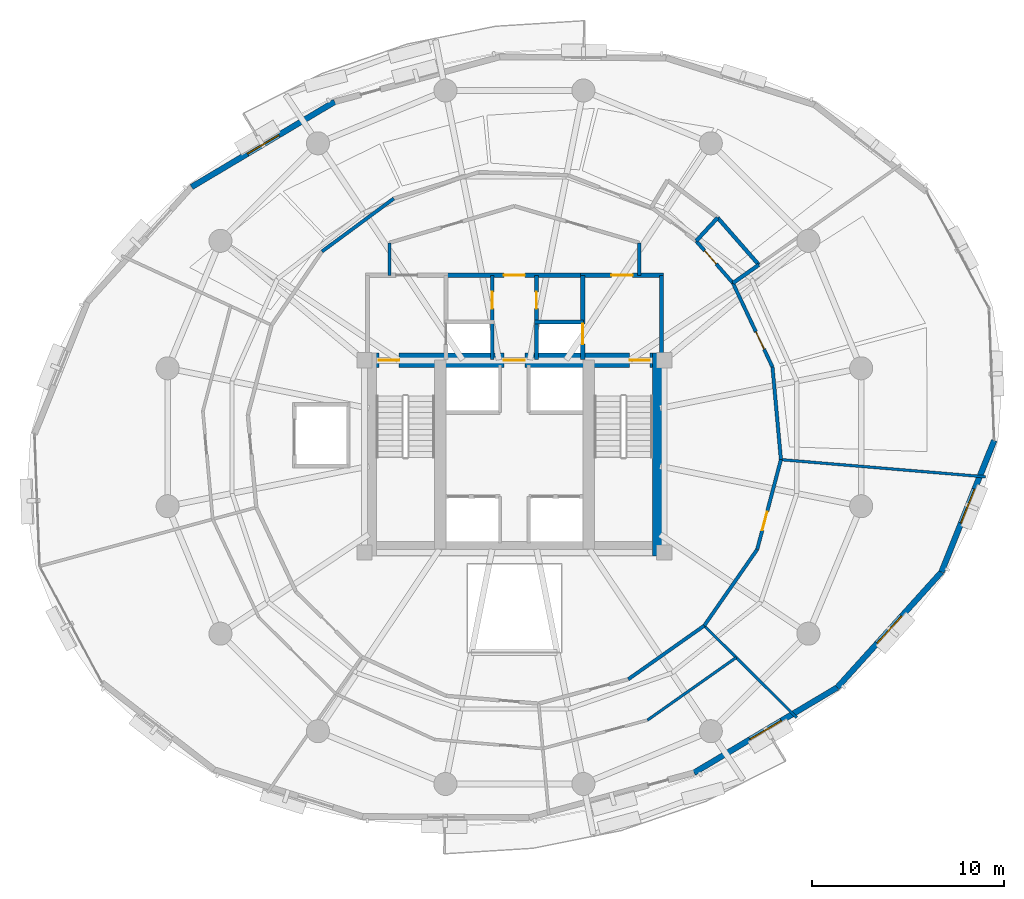
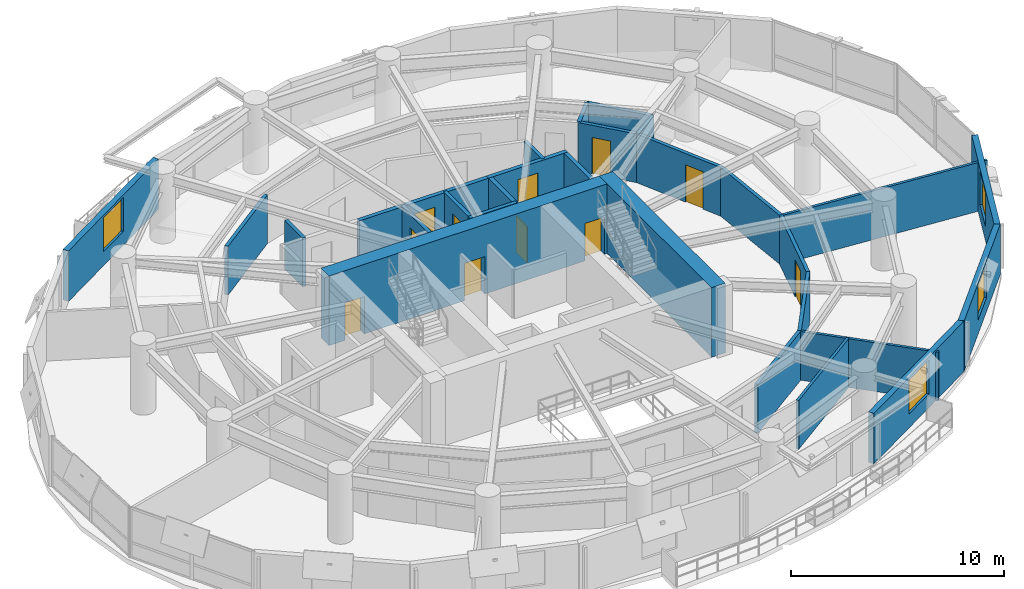
# One storey, part 11 of 15: 28 walls, 11 doors, 4 windows, 15 openings.
"""IFC4 building model written with IfcOpenShell, lengths in metres."""

from ifc_helpers import new_model, si_unit, direction, frame, frame_2d, origin, place, context, subcontext, project, spatial, rectangle, extrude, material, layer, layer_set, type_object, element, fill, save


model = new_model("IFC4")

# Units and contexts
model_context = context("Model", 3, precision=1e-05, world=origin(), true_north=direction((0.0, 1.0)))
body_context = subcontext(model_context, "Body", "Model", "MODEL_VIEW")
ifc_project = project(units=[si_unit("LENGTHUNIT", "METRE"), si_unit("AREAUNIT", "SQUARE_METRE"), si_unit("VOLUMEUNIT", "CUBIC_METRE"), si_unit("PLANEANGLEUNIT", "RADIAN"), si_unit("MASSUNIT", "GRAM", prefix="KILO"), si_unit("THERMODYNAMICTEMPERATUREUNIT", "KELVIN"), si_unit("POWERUNIT", "WATT")], contexts=[model_context])

# Site, building, storey
site_placement = place(None, origin())
site = spatial("IfcSite", under=ifc_project, at=site_placement, CompositionType="ELEMENT")
building_placement = place(site_placement, origin())
building = spatial("IfcBuilding", under=site, at=building_placement, Name="Ocrelia Relay Tower", CompositionType="ELEMENT")
storey_placement = place(building_placement, frame((0.0, 0.0, 97.800048828125)))
storey = spatial("IfcBuildingStorey", under=building, at=storey_placement, Name="L22", CompositionType="ELEMENT", Elevation=97.800048828125)

# Wall, openings, doors
ifc_material_1 = material(Name="Concrete C60/75", Category="concrete")
ifc_layer_1 = layer(ifc_material_1, 0.75, Name="Concrete C60/75")
ifc_layer_set_1 = layer_set([ifc_layer_1], Name="Concrete C60/75")
wall_type_1 = type_object("IfcWallType", Name="CW-CORE-750", PredefinedType="SHEAR", material=ifc_layer_set_1)
wall_1_placement = place(storey_placement, frame((26.072021484375, 30.012939453125, 0.0), z_axis=(0.0, 0.0, 1.0), x_axis=(1.0, 0.0, 0.0)))
wall_1 = element("IfcWall", 1, at=wall_1_placement, inside=storey, type_object=wall_type_1, Name="L22 Core Shear Wall N", PredefinedType="SHEAR", context=body_context, shape_type="SweptSolid", body=[
    extrude(rectangle(XDim=15.865966796875, YDim=0.75, at=frame_2d((7.93310546875, 0.0))), origin(), (0.0, 0.0, 1.0), 4.0),
])
opening_1_placement = place(wall_1_placement, frame((0.8779296875, 0.0, 0.0)))
opening_1 = element("IfcOpeningElement", 2, at=opening_1_placement, cuts=wall_1, Name="Opening D-FD90", PredefinedType="OPENING", context=body_context, shape_type="SweptSolid", body=[
    extrude(rectangle(XDim=1.050048828125, YDim=2.14990234375, at=frame_2d((0.52490234375, 1.074951171875))), frame((0.0, 0.385009765625, 0.0), z_axis=(0.0, -1.0, 0.0), x_axis=(1.0, 0.0, 0.0)), (0.0, 0.0, 1.0), 0.77001953125),
])
opening_2_placement = place(wall_1_placement, frame((13.927978515625, 0.0, 0.0)))
opening_2 = element("IfcOpeningElement", 3, at=opening_2_placement, cuts=wall_1, Name="Opening D-FD90", PredefinedType="OPENING", context=body_context, shape_type="SweptSolid", body=[
    extrude(rectangle(XDim=1.050048828125, YDim=2.14990234375, at=frame_2d((0.52490234375, 1.074951171875))), frame((0.0, 0.385009765625, 0.0), z_axis=(0.0, -1.0, 0.0), x_axis=(1.0, 0.0, 0.0)), (0.0, 0.0, 1.0), 0.77001953125),
])
opening_3_placement = place(wall_1_placement, frame((7.3779296875, 0.0, 0.0)))
opening_3 = element("IfcOpeningElement", 4, at=opening_3_placement, cuts=wall_1, Name="Opening D-FD60", PredefinedType="OPENING", context=body_context, shape_type="SweptSolid", body=[
    extrude(rectangle(XDim=1.10009765625, YDim=2.14990234375, at=frame_2d((0.550048828125, 1.074951171875))), frame((0.0, 0.385009765625, 0.0), z_axis=(0.0, -1.0, 0.0), x_axis=(1.0, 0.0, 0.0)), (0.0, 0.0, 1.0), 0.77001953125),
])
ifc_material_2 = material(Name="Timber-core 60-min acoustic fire door", Category="wood")
door_type_1 = type_object("IfcDoorType", Name="DR-LOBBY-FD60-1100", OperationType="NOTDEFINED", PredefinedType="DOOR", material=ifc_material_2)
door_1_placement = place(opening_3_placement, origin())
door_1 = element("IfcDoor", 5, at=door_1_placement, inside=storey, type_object=door_type_1, Name="L22 Core Lift Lobby North Fire Door", OperationType="SINGLE_SWING_RIGHT", OverallHeight=2.14990234375, OverallWidth=1.10009765625, PredefinedType="DOOR", context=body_context, shape_type="SweptSolid", body=[
    extrude(rectangle(XDim=1.10009765625, YDim=2.14990234375, at=frame_2d((0.550048828125, 1.074951171875))), frame((0.0, 0.02490234375, 0.0), z_axis=(0.0, -1.0, 0.0), x_axis=(1.0, 0.0, 0.0)), (0.0, 0.0, 1.0), 0.050048828125),
])
fill(opening_3, door_1)
ifc_material_3 = material(Name="Steel S355 90-min fire door", Category="steel")
door_type_2 = type_object("IfcDoorType", Name="DR-STAIR-FD90-1050", OperationType="NOTDEFINED", PredefinedType="DOOR", material=ifc_material_3)
door_2_placement = place(opening_1_placement, origin())
door_2 = element("IfcDoor", 6, at=door_2_placement, inside=storey, type_object=door_type_2, Name="L22 Stair ST1 Fire Door", OperationType="SINGLE_SWING_RIGHT", OverallHeight=2.14990234375, OverallWidth=1.050048828125, PredefinedType="DOOR", context=body_context, shape_type="SweptSolid", body=[
    extrude(rectangle(XDim=1.050048828125, YDim=2.14990234375, at=frame_2d((0.52490234375, 1.074951171875))), frame((0.0, 0.02490234375, 0.0), z_axis=(0.0, -1.0, 0.0), x_axis=(1.0, 0.0, 0.0)), (0.0, 0.0, 1.0), 0.050048828125),
])
fill(opening_1, door_2)
door_3_placement = place(opening_2_placement, origin())
door_3 = element("IfcDoor", 7, at=door_3_placement, inside=storey, type_object=door_type_2, Name="L22 Stair ST2 Fire Door", OperationType="SINGLE_SWING_LEFT", OverallHeight=2.14990234375, OverallWidth=1.050048828125, PredefinedType="DOOR", context=body_context, shape_type="SweptSolid", body=[
    extrude(rectangle(XDim=1.050048828125, YDim=2.14990234375, at=frame_2d((0.52490234375, 1.074951171875))), frame((0.0, 0.02490234375, 0.0), z_axis=(0.0, -1.0, 0.0), x_axis=(1.0, 0.0, 0.0)), (0.0, 0.0, 1.0), 0.050048828125),
])
fill(opening_2, door_3)

# Walls
wall_2_placement = place(storey_placement, frame((41.56298828125, 19.81201171875, 0.0), z_axis=(0.0, 0.0, 1.0), x_axis=(0.0, 1.0, 0.0)))
element("IfcWall", 8, at=wall_2_placement, inside=storey, type_object=wall_type_1, Name="L22 Core Shear Wall E", PredefinedType="SHEAR", context=body_context, shape_type="SweptSolid", body=[
    extrude(rectangle(XDim=10.575927734375, YDim=0.75, at=frame_2d((5.2880859375, 0.0))), origin(), (0.0, 0.0, 1.0), 4.0),
])
ifc_material_4 = material(Name="Gypsum Fireboard Partition EI60", Category="gypsum")
ifc_layer_2 = layer(ifc_material_4, 0.179931640625, Name="Gypsum Fireboard Partition EI60")
ifc_layer_set_2 = layer_set([ifc_layer_2], Name="Gypsum Fireboard Partition EI60")
wall_type_2 = type_object("IfcWallType", Name="W-CORR-EI60-180", PredefinedType="PARTITIONING", material=ifc_layer_set_2)
for number, where, z_axis, x_axis, name in (
    (9, (27.5, 34.429931640625, 0.0), (0.0, 0.0, 1.0), (0.0, 1.0, 0.0), "L22 Smoke Lobby West Return"),
    (10, (40.5, 36.122802734375, 0.0), (0.0, 0.0, 1.0), (0.0, -1.0, 0.0), "L22 Smoke Lobby East Return"),
):
    element("IfcWall", number, at=place(storey_placement, frame(where, z_axis=z_axis, x_axis=x_axis)), inside=storey, type_object=wall_type_2, Name=name, PredefinedType="PARTITIONING", context=body_context, shape_type="SweptSolid", body=[
        extrude(rectangle(XDim=1.69287109375, YDim=0.179931640625, at=frame_2d((0.846435546875, 0.0))), origin(), (0.0, 0.0, 1.0), 2.800048828125),
    ])

# Wall, opening, door
wall_3_placement = place(storey_placement, frame((45.374755859375, 34.02392578125, 0.0), z_axis=(0.0, 0.0, 1.0), x_axis=(-0.658742153317, 0.752368776228, 0.0)))
wall_3 = element("IfcWall", 11, at=wall_3_placement, inside=storey, type_object=wall_type_2, Name="L22 Staff Toilet Corridor Wall", PredefinedType="PARTITIONING", context=body_context, shape_type="SweptSolid", body=[
    extrude(rectangle(XDim=2.91015625, YDim=0.179931640625, at=frame_2d((1.455078125, 0.0))), origin(), (0.0, 0.0, 1.0), 2.800048828125),
])
opening_4_placement = place(wall_3_placement, frame((1.321044921875, 0.0, 0.0)))
opening_4 = element("IfcOpeningElement", 12, at=opening_4_placement, cuts=wall_3, Name="Opening D-WC92", PredefinedType="OPENING", context=body_context, shape_type="SweptSolid", body=[
    extrude(rectangle(XDim=0.919921875, YDim=2.10009765625, at=frame_2d((0.4599609375, 1.050048828125))), frame((0.0, 0.10009765625, 0.0), z_axis=(0.0, -1.0, 0.0), x_axis=(1.0, 0.0, 0.0)), (0.0, 0.0, 1.0), 0.199951171875),
])
ifc_material_5 = material(Name="Laminate washroom door", Category="wood")
door_type_3 = type_object("IfcDoorType", Name="DR-WC-920", OperationType="NOTDEFINED", PredefinedType="DOOR", material=ifc_material_5)
door_4_placement = place(opening_4_placement, origin())
door_4 = element("IfcDoor", 13, at=door_4_placement, inside=storey, type_object=door_type_3, Name="L22 Staff Toilet Door", OperationType="SINGLE_SWING_RIGHT", OverallHeight=2.10009765625, OverallWidth=0.919921875, PredefinedType="DOOR", context=body_context, shape_type="SweptSolid", body=[
    extrude(rectangle(XDim=0.919921875, YDim=2.10009765625, at=frame_2d((0.4599609375, 1.050048828125))), frame((0.0, 0.02490234375, 0.0), z_axis=(0.0, -1.0, 0.0), x_axis=(1.0, 0.0, 0.0)), (0.0, 0.0, 1.0), 0.050048828125),
])
fill(opening_4, door_4)

# Walls
wall_4_placement = place(storey_placement, frame((27.723876953125, 38.4248046875, 0.0), z_axis=(0.0, 0.0, 1.0), x_axis=(-0.804901173795, -0.593408881314, 0.0)))
element("IfcWall", 14, at=wall_4_placement, inside=storey, type_object=wall_type_2, Name="L22 Optical Switching Hall A Corridor Partition 4", PredefinedType="PARTITIONING", context=body_context, shape_type="SweptSolid", body=[
    extrude(rectangle(XDim=4.642822265625, YDim=0.179931640625, at=frame_2d((2.3212890625, 0.0))), origin(), (0.0, 0.0, 1.0), 2.800048828125),
])
for number, where, z_axis, x_axis, name in (
    (15, (39.9267578125, 13.40478515625, 0.0), (0.0, 0.0, 1.0), (0.817155361581, 0.576417483288, 0.0), "L22 Protocol Testing Lab Corridor Partition 2"),
    (16, (43.877197265625, 16.19140625, 0.0), (0.0, 0.0, 1.0), (0.570713758519, 0.8211490765, 0.0), "L22 Fiber Patch Store Corridor Partition 1"),
):
    element("IfcWall", number, at=place(storey_placement, frame(where, z_axis=z_axis, x_axis=x_axis)), inside=storey, type_object=wall_type_2, Name=name, PredefinedType="PARTITIONING", context=body_context, shape_type="SweptSolid", body=[
        extrude(rectangle(XDim=4.83447265625, YDim=0.179931640625, at=frame_2d((2.417236328125, 0.0))), origin(), (0.0, 0.0, 1.0), 2.800048828125),
    ])

# Wall, opening, door
wall_5_placement = place(storey_placement, frame((46.63623046875, 20.1611328125, 0.0), z_axis=(0.0, 0.0, 1.0), x_axis=(0.255430312845, 0.966827469241, 0.0)))
wall_5 = element("IfcWall", 17, at=wall_5_placement, inside=storey, type_object=wall_type_2, Name="L22 Fiber Patch Store Corridor Partition 2", PredefinedType="PARTITIONING", context=body_context, shape_type="SweptSolid", body=[
    extrude(rectangle(XDim=4.83447265625, YDim=0.179931640625, at=frame_2d((2.417236328125, 0.0))), origin(), (0.0, 0.0, 1.0), 2.800048828125),
])
opening_5_placement = place(wall_5_placement, frame((1.03369140625, 0.0, 0.0)))
opening_5 = element("IfcOpeningElement", 18, at=opening_5_placement, cuts=wall_5, Name="Opening D-RM100", PredefinedType="OPENING", context=body_context, shape_type="SweptSolid", body=[
    extrude(rectangle(XDim=1.0, YDim=2.14990234375, at=frame_2d((0.5, 1.074951171875))), frame((0.0, 0.10009765625, 0.0), z_axis=(0.0, -1.0, 0.0), x_axis=(1.0, 0.0, 0.0)), (0.0, 0.0, 1.0), 0.199951171875),
])
ifc_material_6 = material(Name="Acoustic oak veneer fire door", Category="wood")
door_type_4 = type_object("IfcDoorType", Name="DR-ROOM-FD60-1000", OperationType="NOTDEFINED", PredefinedType="DOOR", material=ifc_material_6)
door_5_placement = place(opening_5_placement, origin())
door_5 = element("IfcDoor", 19, at=door_5_placement, inside=storey, type_object=door_type_4, Name="L22 Fiber Patch Store Entrance Door", OperationType="SINGLE_SWING_LEFT", OverallHeight=2.14990234375, OverallWidth=1.0, PredefinedType="DOOR", context=body_context, shape_type="SweptSolid", body=[
    extrude(rectangle(XDim=1.0, YDim=2.14990234375, at=frame_2d((0.5, 1.074951171875))), frame((0.0, 0.02490234375, 0.0), z_axis=(0.0, -1.0, 0.0), x_axis=(1.0, 0.0, 0.0)), (0.0, 0.0, 1.0), 0.050048828125),
])
fill(opening_5, door_5)

# Wall
wall_6_placement = place(storey_placement, frame((47.87109375, 24.835205078125, 0.0), z_axis=(0.0, 0.0, 1.0), x_axis=(-0.090599493513, 0.995887409186, 0.0)))
element("IfcWall", 20, at=wall_6_placement, inside=storey, type_object=wall_type_2, Name="L22 Optical Telemetry Studio Corridor Partition 1", PredefinedType="PARTITIONING", context=body_context, shape_type="SweptSolid", body=[
    extrude(rectangle(XDim=4.834228515625, YDim=0.179931640625, at=frame_2d((2.4169921875, 0.0))), origin(), (0.0, 0.0, 1.0), 2.800048828125),
])

# Wall, opening, door
wall_7_placement = place(storey_placement, frame((47.43310546875, 29.649658203125, 0.0), z_axis=(0.0, 0.0, 1.0), x_axis=(-0.425775147607, 0.904829002453, 0.0)))
wall_7 = element("IfcWall", 21, at=wall_7_placement, inside=storey, type_object=wall_type_2, Name="L22 Optical Telemetry Studio Corridor Partition 2", PredefinedType="PARTITIONING", context=body_context, shape_type="SweptSolid", body=[
    extrude(rectangle(XDim=4.83447265625, YDim=0.179931640625, at=frame_2d((2.417236328125, 0.0))), origin(), (0.0, 0.0, 1.0), 2.800048828125),
])
opening_6_placement = place(wall_7_placement, frame((1.03369140625, 0.0, 0.0)))
opening_6 = element("IfcOpeningElement", 22, at=opening_6_placement, cuts=wall_7, Name="Opening D-RM100", PredefinedType="OPENING", context=body_context, shape_type="SweptSolid", body=[
    extrude(rectangle(XDim=1.0, YDim=2.14990234375, at=frame_2d((0.5, 1.074951171875))), frame((0.0, 0.10009765625, 0.0), z_axis=(0.0, -1.0, 0.0), x_axis=(1.0, 0.0, 0.0)), (0.0, 0.0, 1.0), 0.199951171875),
])
door_6_placement = place(opening_6_placement, origin())
door_6 = element("IfcDoor", 23, at=door_6_placement, inside=storey, type_object=door_type_4, Name="L22 Optical Telemetry Studio Entrance Door", OperationType="SINGLE_SWING_RIGHT", OverallHeight=2.14990234375, OverallWidth=1.0, PredefinedType="DOOR", context=body_context, shape_type="SweptSolid", body=[
    extrude(rectangle(XDim=1.0, YDim=2.14990234375, at=frame_2d((0.5, 1.074951171875))), frame((0.0, 0.02490234375, 0.0), z_axis=(0.0, -1.0, 0.0), x_axis=(1.0, 0.0, 0.0)), (0.0, 0.0, 1.0), 0.050048828125),
])
fill(opening_6, door_6)

# Wall, opening, window
ifc_material_7 = material(Name="Precast concrete C40/50 with oxide terracotta", Category="masonry")
ifc_layer_3 = layer(ifc_material_7, 0.300048828125, Name="Precast concrete C40/50 with oxide terracotta")
ifc_layer_set_3 = layer_set([ifc_layer_3], Name="Precast concrete C40/50 with oxide terracotta")
wall_type_3 = type_object("IfcWallType", Name="W-EXT-TERR-300", PredefinedType="SOLIDWALL", material=ifc_layer_set_3)
wall_8_placement = place(storey_placement, frame((24.6494140625, 43.46142578125, 0.0), z_axis=(0.0, 0.0, 1.0), x_axis=(-0.859224239548, -0.511599165532, 0.0)))
wall_8 = element("IfcWall", 24, at=wall_8_placement, inside=storey, type_object=wall_type_3, Name="L22 Oxide Terracotta Facade Wall 06", PredefinedType="SOLIDWALL", context=body_context, shape_type="SweptSolid", body=[
    extrude(rectangle(XDim=8.6728515625, YDim=0.300048828125, at=frame_2d((4.33642578125, 0.0))), origin(), (0.0, 0.0, 1.0), 2.89990234375),
])
opening_7_placement = place(wall_8_placement, frame((3.385986328125, 0.0, 0.800048828125)))
opening_7 = element("IfcOpeningElement", 25, at=opening_7_placement, cuts=wall_8, Name="Opening W-06", PredefinedType="OPENING", context=body_context, shape_type="SweptSolid", body=[
    extrude(rectangle(XDim=1.89990234375, YDim=1.949951171875, at=frame_2d((0.949951171875, 0.97509765625))), frame((0.0, 0.16015625, 0.0), z_axis=(0.0, -1.0, 0.0), x_axis=(1.0, 0.0, 0.0)), (0.0, 0.0, 1.0), 0.320068359375),
])
ifc_material_8 = material(Name="Clear double-glazed low-E glass", Category="glass")
window_type = type_object("IfcWindowType", Name="WIN-Z2-1900x2100", PartitioningType="DOUBLE_PANEL_VERTICAL", PredefinedType="WINDOW", material=ifc_material_8)
window_1_placement = place(opening_7_placement, origin())
window_1 = element("IfcWindow", 26, at=window_1_placement, inside=storey, type_object=window_type, Name="L22 Facade Module Window 06", OverallHeight=1.949951171875, OverallWidth=1.89990234375, PartitioningType="SINGLE_PANEL", PredefinedType="WINDOW", context=body_context, shape_type="SweptSolid", body=[
    extrude(rectangle(XDim=1.89990234375, YDim=1.949951171875, at=frame_2d((0.949951171875, 0.97509765625))), frame((0.0, 0.030029296875, 0.0), z_axis=(0.0, -1.0, 0.0), x_axis=(1.0, 0.0, 0.0)), (0.0, 0.0, 1.0), 0.06005859375),
])
fill(opening_7, window_1)

wall_9_placement = place(storey_placement, frame((43.3505859375, 8.53857421875, 0.0), z_axis=(0.0, 0.0, 1.0), x_axis=(0.859224239548, 0.511599165532, 0.0)))
wall_9 = element("IfcWall", 27, at=wall_9_placement, inside=storey, type_object=wall_type_3, Name="L22 Oxide Terracotta Facade Wall 15", PredefinedType="SOLIDWALL", context=body_context, shape_type="SweptSolid", body=[
    extrude(rectangle(XDim=8.6728515625, YDim=0.300048828125, at=frame_2d((4.33642578125, 0.0))), origin(), (0.0, 0.0, 1.0), 2.89990234375),
])
opening_8_placement = place(wall_9_placement, frame((3.385986328125, 0.0, 0.800048828125)))
opening_8 = element("IfcOpeningElement", 28, at=opening_8_placement, cuts=wall_9, Name="Opening W-06", PredefinedType="OPENING", context=body_context, shape_type="SweptSolid", body=[
    extrude(rectangle(XDim=1.89990234375, YDim=1.949951171875, at=frame_2d((0.949951171875, 0.97509765625))), frame((0.0, 0.16015625, 0.0), z_axis=(0.0, -1.0, 0.0), x_axis=(1.0, 0.0, 0.0)), (0.0, 0.0, 1.0), 0.320068359375),
])
window_2_placement = place(opening_8_placement, origin())
window_2 = element("IfcWindow", 29, at=window_2_placement, inside=storey, type_object=window_type, Name="L22 Facade Module Window 15", OverallHeight=1.949951171875, OverallWidth=1.89990234375, PartitioningType="SINGLE_PANEL", PredefinedType="WINDOW", context=body_context, shape_type="SweptSolid", body=[
    extrude(rectangle(XDim=1.89990234375, YDim=1.949951171875, at=frame_2d((0.949951171875, 0.97509765625))), frame((0.0, 0.030029296875, 0.0), z_axis=(0.0, -1.0, 0.0), x_axis=(1.0, 0.0, 0.0)), (0.0, 0.0, 1.0), 0.06005859375),
])
fill(opening_8, window_2)

wall_10_placement = place(storey_placement, frame((50.802490234375, 12.9755859375, 0.0), z_axis=(0.0, 0.0, 1.0), x_axis=(0.670180169564, 0.742198450768, 0.0)))
wall_10 = element("IfcWall", 30, at=wall_10_placement, inside=storey, type_object=wall_type_3, Name="L22 Oxide Terracotta Facade Wall 16", PredefinedType="SOLIDWALL", context=body_context, shape_type="SweptSolid", body=[
    extrude(rectangle(XDim=8.09521484375, YDim=0.300048828125, at=frame_2d((4.047607421875, 0.0))), origin(), (0.0, 0.0, 1.0), 2.89990234375),
])
opening_9_placement = place(wall_10_placement, frame((3.097900390625, 0.0, 0.800048828125)))
opening_9 = element("IfcOpeningElement", 31, at=opening_9_placement, cuts=wall_10, Name="Opening W-06", PredefinedType="OPENING", context=body_context, shape_type="SweptSolid", body=[
    extrude(rectangle(XDim=1.89990234375, YDim=1.949951171875, at=frame_2d((0.949951171875, 0.97509765625))), frame((0.0, 0.16015625, 0.0), z_axis=(0.0, -1.0, 0.0), x_axis=(1.0, 0.0, 0.0)), (0.0, 0.0, 1.0), 0.320068359375),
])
window_3_placement = place(opening_9_placement, origin())
window_3 = element("IfcWindow", 32, at=window_3_placement, inside=storey, type_object=window_type, Name="L22 Facade Module Window 16", OverallHeight=1.949951171875, OverallWidth=1.89990234375, PartitioningType="SINGLE_PANEL", PredefinedType="WINDOW", context=body_context, shape_type="SweptSolid", body=[
    extrude(rectangle(XDim=1.89990234375, YDim=1.949951171875, at=frame_2d((0.949951171875, 0.97509765625))), frame((0.0, 0.030029296875, 0.0), z_axis=(0.0, -1.0, 0.0), x_axis=(1.0, 0.0, 0.0)), (0.0, 0.0, 1.0), 0.06005859375),
])
fill(opening_9, window_3)

wall_11_placement = place(storey_placement, frame((56.227783203125, 18.98388671875, 0.0), z_axis=(0.0, 0.0, 1.0), x_axis=(0.371704219928, 0.928351212035, 0.0)))
wall_11 = element("IfcWall", 33, at=wall_11_placement, inside=storey, type_object=wall_type_3, Name="L22 Oxide Terracotta Facade Wall 17", PredefinedType="SOLIDWALL", context=body_context, shape_type="SweptSolid", body=[
    extrude(rectangle(XDim=7.38330078125, YDim=0.300048828125, at=frame_2d((3.691650390625, 0.0))), origin(), (0.0, 0.0, 1.0), 2.89990234375),
])
opening_10_placement = place(wall_11_placement, frame((2.741943359375, 0.0, 0.800048828125)))
opening_10 = element("IfcOpeningElement", 34, at=opening_10_placement, cuts=wall_11, Name="Opening W-06", PredefinedType="OPENING", context=body_context, shape_type="SweptSolid", body=[
    extrude(rectangle(XDim=1.89990234375, YDim=1.949951171875, at=frame_2d((0.949951171875, 0.97509765625))), frame((0.0, 0.16015625, 0.0), z_axis=(0.0, -1.0, 0.0), x_axis=(1.0, 0.0, 0.0)), (0.0, 0.0, 1.0), 0.320068359375),
])
window_4_placement = place(opening_10_placement, origin())
window_4 = element("IfcWindow", 35, at=window_4_placement, inside=storey, type_object=window_type, Name="L22 Facade Module Window 17", OverallHeight=1.949951171875, OverallWidth=1.89990234375, PartitioningType="SINGLE_PANEL", PredefinedType="WINDOW", context=body_context, shape_type="SweptSolid", body=[
    extrude(rectangle(XDim=1.89990234375, YDim=1.949951171875, at=frame_2d((0.949951171875, 0.97509765625))), frame((0.0, 0.030029296875, 0.0), z_axis=(0.0, -1.0, 0.0), x_axis=(1.0, 0.0, 0.0)), (0.0, 0.0, 1.0), 0.06005859375),
])
fill(opening_10, window_4)

# Wall, opening, door
ifc_material_9 = material(Name="Concrete C50/60", Category="concrete")
ifc_layer_4 = layer(ifc_material_9, 0.219970703125, Name="Concrete C50/60")
ifc_layer_set_4 = layer_set([ifc_layer_4], Name="Concrete C50/60")
wall_type_4 = type_object("IfcWallType", Name="W-FFL-EI120-220", PredefinedType="SOLIDWALL", material=ifc_layer_set_4)
wall_12_placement = place(storey_placement, frame((37.56005859375, 30.050048828125, 0.0), z_axis=(0.0, 0.0, 1.0), x_axis=(0.0, 1.0, 0.0)))
wall_12 = element("IfcWall", 36, at=wall_12_placement, inside=storey, type_object=wall_type_4, Name="L22 E Fire Service Lift Lobby West Wall", PredefinedType="SOLIDWALL", context=body_context, shape_type="SweptSolid", body=[
    extrude(rectangle(XDim=4.3798828125, YDim=0.219970703125, at=frame_2d((2.18994140625, 0.0))), origin(), (0.0, 0.0, 1.0), 2.800048828125),
])
opening_11_placement = place(wall_12_placement, frame((0.800048828125, 0.0, 0.0)))
opening_11 = element("IfcOpeningElement", 37, at=opening_11_placement, cuts=wall_12, Name="Opening LD-FFL2", PredefinedType="OPENING", context=body_context, shape_type="SweptSolid", body=[
    extrude(rectangle(XDim=1.050048828125, YDim=2.10009765625, at=frame_2d((0.52490234375, 1.050048828125))), frame((0.0, 0.1201171875, 0.0), z_axis=(0.0, -1.0, 0.0), x_axis=(1.0, 0.0, 0.0)), (0.0, 0.0, 1.0), 0.239990234375),
])
ifc_material_10 = material(Name="Brushed stainless steel S355 lift landing door", Category="steel")
door_type_5 = type_object("IfcDoorType", Name="DR-LIFT-LAND-1050", OperationType="DOUBLE_DOOR_SLIDING", PredefinedType="USERDEFINED", material=ifc_material_10)
door_7_placement = place(opening_11_placement, origin())
door_7 = element("IfcDoor", 38, at=door_7_placement, inside=storey, type_object=door_type_5, Name="L22 Firefighting Lift FFL2 Sliding Landing Door", ObjectType="LANDING DOOR", OperationType="DOUBLE_DOOR_SLIDING", OverallHeight=2.10009765625, OverallWidth=1.050048828125, PredefinedType="USERDEFINED", context=body_context, shape_type="SweptSolid", body=[
    extrude(rectangle(XDim=1.050048828125, YDim=2.10009765625, at=frame_2d((0.52490234375, 1.050048828125))), frame((0.0, 0.02490234375, 0.0), z_axis=(0.0, -1.0, 0.0), x_axis=(1.0, 0.0, 0.0)), (0.0, 0.0, 1.0), 0.050048828125),
])
fill(opening_11, door_7)

# Wall
wall_13_placement = place(storey_placement, frame((41.64990234375, 30.050048828125, 0.0), z_axis=(0.0, 0.0, 1.0), x_axis=(0.0, 1.0, 0.0)))
element("IfcWall", 39, at=wall_13_placement, inside=storey, type_object=wall_type_4, Name="L22 E Fire Service Lift Lobby East Wall", PredefinedType="SOLIDWALL", context=body_context, shape_type="SweptSolid", body=[
    extrude(rectangle(XDim=4.3798828125, YDim=0.219970703125, at=frame_2d((2.18994140625, 0.0))), origin(), (0.0, 0.0, 1.0), 2.800048828125),
])

# Wall, opening, door
wall_14_placement = place(storey_placement, frame((37.449951171875, 34.429931640625, 0.0), z_axis=(0.0, 0.0, 1.0), x_axis=(1.0, 0.0, 0.0)))
wall_14 = element("IfcWall", 40, at=wall_14_placement, inside=storey, type_object=wall_type_4, Name="L22 E Fire Service Lift Lobby North Wall", PredefinedType="SOLIDWALL", context=body_context, shape_type="SweptSolid", body=[
    extrude(rectangle(XDim=4.31005859375, YDim=0.219970703125, at=frame_2d((2.155029296875, 0.0))), origin(), (0.0, 0.0, 1.0), 2.800048828125),
])
opening_12_placement = place(wall_14_placement, frame((1.60009765625, 0.0, 0.0)))
opening_12 = element("IfcOpeningElement", 41, at=opening_12_placement, cuts=wall_14, Name="Opening D-FD60", PredefinedType="OPENING", context=body_context, shape_type="SweptSolid", body=[
    extrude(rectangle(XDim=1.10009765625, YDim=2.14990234375, at=frame_2d((0.550048828125, 1.074951171875))), frame((0.0, 0.1201171875, 0.0), z_axis=(0.0, -1.0, 0.0), x_axis=(1.0, 0.0, 0.0)), (0.0, 0.0, 1.0), 0.239990234375),
])
door_8_placement = place(opening_12_placement, origin())
door_8 = element("IfcDoor", 42, at=door_8_placement, inside=storey, type_object=door_type_1, Name="L22 E Fire Service Lift Lobby Exit Door", OperationType="SINGLE_SWING_LEFT", OverallHeight=2.14990234375, OverallWidth=1.10009765625, PredefinedType="DOOR", context=body_context, shape_type="SweptSolid", body=[
    extrude(rectangle(XDim=1.10009765625, YDim=2.14990234375, at=frame_2d((0.550048828125, 1.074951171875))), frame((0.0, 0.02490234375, 0.0), z_axis=(0.0, -1.0, 0.0), x_axis=(1.0, 0.0, 0.0)), (0.0, 0.0, 1.0), 0.050048828125),
])
fill(opening_12, door_8)

wall_15_placement = place(storey_placement, frame((30.43994140625, 34.429931640625, 0.0), z_axis=(0.0, 0.0, 1.0), x_axis=(1.0, 0.0, 0.0)))
wall_15 = element("IfcWall", 43, at=wall_15_placement, inside=storey, type_object=wall_type_4, Name="L22 North Core Vestibule Wall", PredefinedType="SOLIDWALL", context=body_context, shape_type="SweptSolid", body=[
    extrude(rectangle(XDim=7.1201171875, YDim=0.219970703125, at=frame_2d((3.56005859375, 0.0))), origin(), (0.0, 0.0, 1.0), 2.800048828125),
])
opening_13_placement = place(wall_15_placement, frame((3.010009765625, 0.0, 0.0)))
opening_13 = element("IfcOpeningElement", 44, at=opening_13_placement, cuts=wall_15, Name="Opening D-FD60", PredefinedType="OPENING", context=body_context, shape_type="SweptSolid", body=[
    extrude(rectangle(XDim=1.10009765625, YDim=2.14990234375, at=frame_2d((0.550048828125, 1.074951171875))), frame((0.0, 0.1201171875, 0.0), z_axis=(0.0, -1.0, 0.0), x_axis=(1.0, 0.0, 0.0)), (0.0, 0.0, 1.0), 0.239990234375),
])
door_9_placement = place(opening_13_placement, origin())
door_9 = element("IfcDoor", 45, at=door_9_placement, inside=storey, type_object=door_type_1, Name="L22 North Core Vestibule Corridor Door", OperationType="SINGLE_SWING_LEFT", OverallHeight=2.14990234375, OverallWidth=1.10009765625, PredefinedType="DOOR", context=body_context, shape_type="SweptSolid", body=[
    extrude(rectangle(XDim=1.10009765625, YDim=2.14990234375, at=frame_2d((0.550048828125, 1.074951171875))), frame((0.0, 0.02490234375, 0.0), z_axis=(0.0, -1.0, 0.0), x_axis=(1.0, 0.0, 0.0)), (0.0, 0.0, 1.0), 0.050048828125),
])
fill(opening_13, door_9)

# Walls
ifc_material_11 = material(Name="Acoustic Fireboard Partition EI60", Category="gypsum")
ifc_layer_5 = layer(ifc_material_11, 0.139892578125, Name="Acoustic Fireboard Partition EI60")
ifc_layer_set_5 = layer_set([ifc_layer_5], Name="Acoustic Fireboard Partition EI60")
wall_type_5 = type_object("IfcWallType", Name="W-PART-140", PredefinedType="PARTITIONING", material=ifc_layer_set_5)
wall_16_placement = place(storey_placement, frame((43.877197265625, 16.19140625, 0.0), z_axis=(0.0, 0.0, 1.0), x_axis=(0.709569136343, -0.704635821364, 0.0)))
element("IfcWall", 46, at=wall_16_placement, inside=storey, type_object=wall_type_5, Name="L22 Protocol Testing Lab Radial Partition", PredefinedType="PARTITIONING", context=body_context, shape_type="SweptSolid", body=[
    extrude(rectangle(XDim=6.77978515625, YDim=0.139892578125, at=frame_2d((3.389892578125, 0.0))), origin(), (0.0, 0.0, 1.0), 2.800048828125),
])
wall_17_placement = place(storey_placement, frame((40.927490234375, 11.278564453125, 0.0), z_axis=(0.0, 0.0, 1.0), x_axis=(0.817143849148, 0.576433803484, 0.0)))
element("IfcWall", 47, at=wall_17_placement, inside=storey, type_object=wall_type_5, Name="L22 Perimeter Protocol Testing Lab Mid-Ring Partition 2", PredefinedType="PARTITIONING", context=body_context, shape_type="SweptSolid", body=[
    extrude(rectangle(XDim=5.650390625, YDim=0.139892578125, at=frame_2d((2.8251953125, 0.0))), origin(), (0.0, 0.0, 1.0), 2.800048828125),
])
wall_18_placement = place(storey_placement, frame((47.87109375, 24.835205078125, 0.0), z_axis=(0.0, 0.0, 1.0), x_axis=(0.996492764064, -0.083678976863, 0.0)))
element("IfcWall", 48, at=wall_18_placement, inside=storey, type_object=wall_type_5, Name="L22 Fiber Patch Store Radial Partition", PredefinedType="PARTITIONING", context=body_context, shape_type="SweptSolid", body=[
    extrude(rectangle(XDim=10.68408203125, YDim=0.139892578125, at=frame_2d((5.342041015625, 0.0))), origin(), (0.0, 0.0, 1.0), 2.800048828125),
])
ifc_material_12 = material(Name="Moisture-Resistant Fireboard Chase Wall EI60", Category="gypsum")
ifc_layer_6 = layer(ifc_material_12, 0.199951171875, Name="Moisture-Resistant Fireboard Chase Wall EI60")
ifc_layer_set_6 = layer_set([ifc_layer_6], Name="Moisture-Resistant Fireboard Chase Wall EI60")
wall_type_6 = type_object("IfcWallType", Name="W-PLUMB-200", PredefinedType="PLUMBINGWALL", material=ifc_layer_set_6)
wall_19_placement = place(storey_placement, frame((45.374755859375, 34.02392578125, 0.0), z_axis=(0.0, 0.0, 1.0), x_axis=(0.817099068642, 0.576497278419, 0.0)))
element("IfcWall", 49, at=wall_19_placement, inside=storey, type_object=wall_type_6, Name="L22 Staff Toilet Plumbing Radial Wall", PredefinedType="PLUMBINGWALL", context=body_context, shape_type="SweptSolid", body=[
    extrude(rectangle(XDim=1.64990234375, YDim=0.199951171875, at=frame_2d((0.824951171875, 0.0))), origin(), (0.0, 0.0, 1.0), 2.800048828125),
])
wall_20_placement = place(storey_placement, frame((43.457763671875, 36.21337890625, 0.0), z_axis=(0.0, 0.0, 1.0), x_axis=(0.679360827733, 0.733804378388, 0.0)))
element("IfcWall", 50, at=wall_20_placement, inside=storey, type_object=wall_type_6, Name="L22 Staff Toilet Plumbing Radial Wall", PredefinedType="PLUMBINGWALL", context=body_context, shape_type="SweptSolid", body=[
    extrude(rectangle(XDim=1.650146484375, YDim=0.199951171875, at=frame_2d((0.8251953125, 0.0))), origin(), (0.0, 0.0, 1.0), 2.800048828125),
])
wall_21_placement = place(storey_placement, frame((46.722900390625, 34.97509765625, 0.0), z_axis=(0.0, 0.0, 1.0), x_axis=(-0.658674508911, 0.752427997426, 0.0)))
element("IfcWall", 51, at=wall_21_placement, inside=storey, type_object=wall_type_6, Name="L22 Staff Toilet Back Plumbing Wall", PredefinedType="PLUMBINGWALL", context=body_context, shape_type="SweptSolid", body=[
    extrude(rectangle(XDim=3.255126953125, YDim=0.199951171875, at=frame_2d((1.62744140625, 0.0))), origin(), (0.0, 0.0, 1.0), 2.800048828125),
])

# Wall, opening, door
ifc_layer_7 = layer(ifc_material_9, 0.199951171875, Name="Concrete C50/60")
ifc_layer_set_7 = layer_set([ifc_layer_7], Name="Concrete C50/60")
wall_type_7 = type_object("IfcWallType", Name="W-SHAFT-EI120-200", PredefinedType="SOLIDWALL", material=ifc_layer_set_7)
wall_22_placement = place(storey_placement, frame((32.85009765625, 30.050048828125, 0.0), z_axis=(0.0, 0.0, 1.0), x_axis=(0.0, 1.0, 0.0)))
wall_22 = element("IfcWall", 52, at=wall_22_placement, inside=storey, type_object=wall_type_7, Name="L22 FFL1 and Service Vestibule Wall", PredefinedType="SOLIDWALL", context=body_context, shape_type="SweptSolid", body=[
    extrude(rectangle(XDim=4.3798828125, YDim=0.199951171875, at=frame_2d((2.18994140625, 0.0))), origin(), (0.0, 0.0, 1.0), 2.800048828125),
])
opening_14_placement = place(wall_22_placement, frame((2.64990234375, 0.0, 0.0)))
opening_14 = element("IfcOpeningElement", 53, at=opening_14_placement, cuts=wall_22, Name="Opening D-RS86", PredefinedType="OPENING", context=body_context, shape_type="SweptSolid", body=[
    extrude(rectangle(XDim=0.860107421875, YDim=2.050048828125, at=frame_2d((0.43017578125, 1.02490234375))), frame((0.0, 0.10986328125, 0.0), z_axis=(0.0, -1.0, 0.0), x_axis=(1.0, 0.0, 0.0)), (0.0, 0.0, 1.0), 0.219970703125),
])
ifc_material_13 = material(Name="Steel S355 riser access fire door", Category="steel")
door_type_6 = type_object("IfcDoorType", Name="DR-RISER-TRAP-860", OperationType="NOTDEFINED", PredefinedType="TRAPDOOR", material=ifc_material_13)
door_10_placement = place(opening_14_placement, origin())
door_10 = element("IfcDoor", 54, at=door_10_placement, inside=storey, type_object=door_type_6, Name="L22 Core Support Room W Door", OperationType="SINGLE_SWING_RIGHT", OverallHeight=2.050048828125, OverallWidth=0.860107421875, PredefinedType="TRAPDOOR", context=body_context, shape_type="SweptSolid", body=[
    extrude(rectangle(XDim=0.860107421875, YDim=2.050048828125, at=frame_2d((0.43017578125, 1.02490234375))), frame((0.0, 0.02490234375, 0.0), z_axis=(0.0, -1.0, 0.0), x_axis=(1.0, 0.0, 0.0)), (0.0, 0.0, 1.0), 0.050048828125),
])
fill(opening_14, door_10)

# Wall
wall_23_placement = place(storey_placement, frame((35.050048828125, 32.0, 0.0), z_axis=(0.0, 0.0, 1.0), x_axis=(1.0, 0.0, 0.0)))
element("IfcWall", 55, at=wall_23_placement, inside=storey, type_object=wall_type_7, Name="L22 FFL2 Hoistway North Wall", PredefinedType="SOLIDWALL", context=body_context, shape_type="SweptSolid", body=[
    extrude(rectangle(XDim=2.550048828125, YDim=0.199951171875, at=frame_2d((1.27490234375, 0.0))), origin(), (0.0, 0.0, 1.0), 2.800048828125),
])

# Wall, opening, door
wall_24_placement = place(storey_placement, frame((35.14990234375, 30.050048828125, 0.0), z_axis=(0.0, 0.0, 1.0), x_axis=(0.0, 1.0, 0.0)))
wall_24 = element("IfcWall", 56, at=wall_24_placement, inside=storey, type_object=wall_type_7, Name="L22 FFL2 and Service Vestibule Wall", PredefinedType="SOLIDWALL", context=body_context, shape_type="SweptSolid", body=[
    extrude(rectangle(XDim=4.3798828125, YDim=0.199951171875, at=frame_2d((2.18994140625, 0.0))), origin(), (0.0, 0.0, 1.0), 2.800048828125),
])
opening_15_placement = place(wall_24_placement, frame((2.64990234375, 0.0, 0.0)))
opening_15 = element("IfcOpeningElement", 57, at=opening_15_placement, cuts=wall_24, Name="Opening D-RS86", PredefinedType="OPENING", context=body_context, shape_type="SweptSolid", body=[
    extrude(rectangle(XDim=0.860107421875, YDim=2.050048828125, at=frame_2d((0.43017578125, 1.02490234375))), frame((0.0, 0.10986328125, 0.0), z_axis=(0.0, -1.0, 0.0), x_axis=(1.0, 0.0, 0.0)), (0.0, 0.0, 1.0), 0.219970703125),
])
door_11_placement = place(opening_15_placement, origin())
door_11 = element("IfcDoor", 58, at=door_11_placement, inside=storey, type_object=door_type_6, Name="L22 Core Support Room E Door", OperationType="SINGLE_SWING_RIGHT", OverallHeight=2.050048828125, OverallWidth=0.860107421875, PredefinedType="TRAPDOOR", context=body_context, shape_type="SweptSolid", body=[
    extrude(rectangle(XDim=0.860107421875, YDim=2.050048828125, at=frame_2d((0.43017578125, 1.02490234375))), frame((0.0, 0.02490234375, 0.0), z_axis=(0.0, -1.0, 0.0), x_axis=(1.0, 0.0, 0.0)), (0.0, 0.0, 1.0), 0.050048828125),
])
fill(opening_15, door_11)

save(model, "model.ifc")
